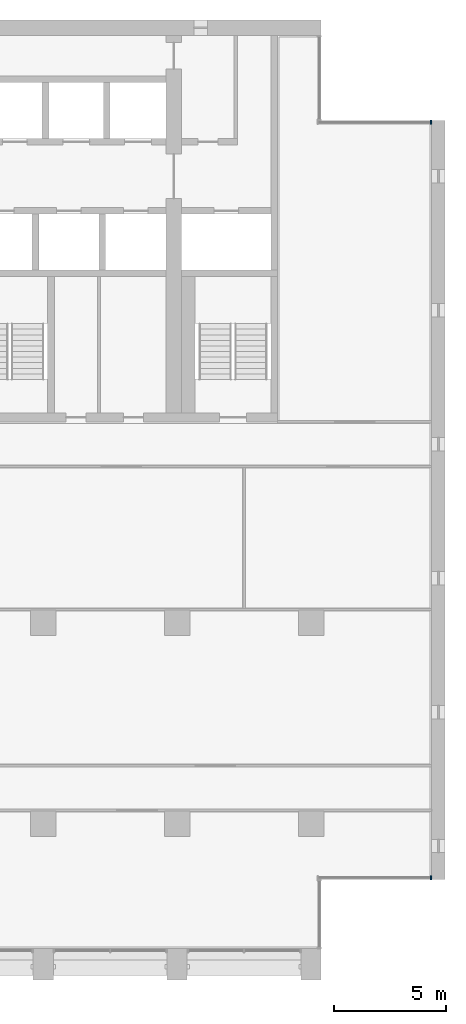
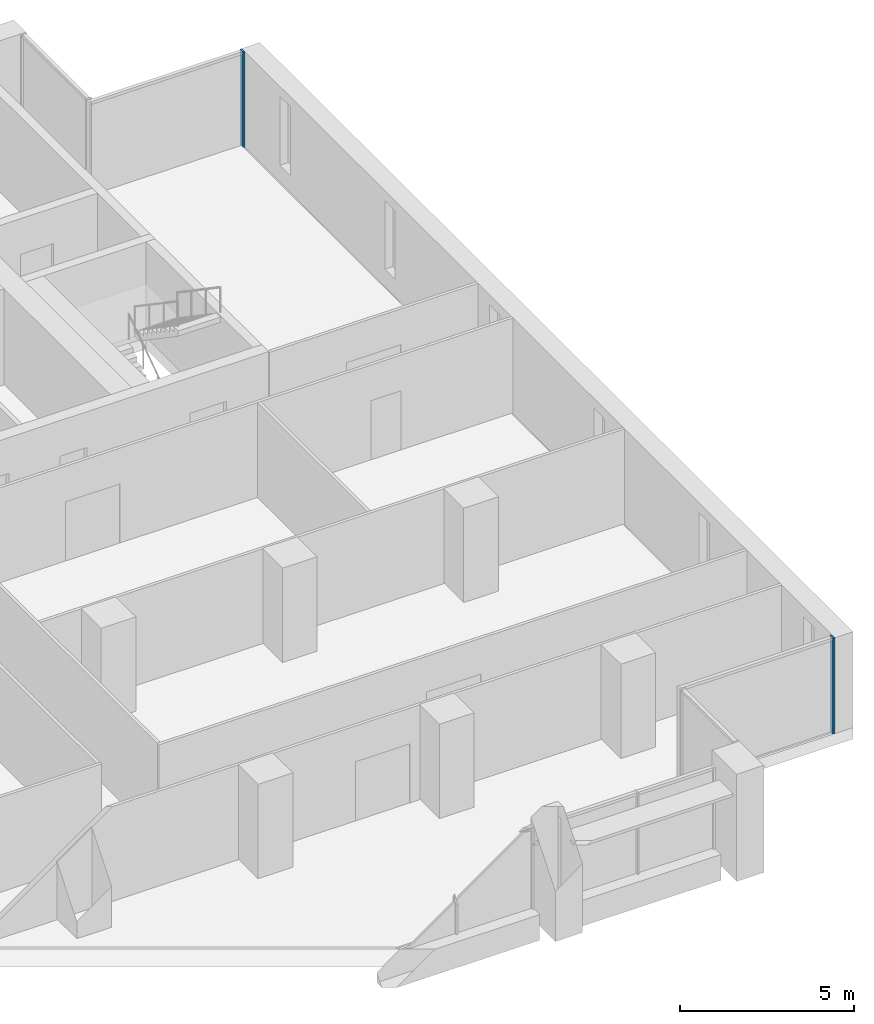
# One storey, part 6 of 17: 2 members, 2 elements without a shape of their own.
"""IFC4 building model written with IfcOpenShell, lengths in metres."""

from ifc_helpers import new_model, si_unit, direction, frame, origin, origin_2d, place, context, subcontext, project, spatial, rectangle, extrude, material, material_profile, profile_set, type_object, element, aggregate, save


model = new_model("IFC4")

# Units and contexts
model_context = context("Model", 3, precision=1e-05, world=origin(), true_north=direction((0.0, 1.0)))
body_context = subcontext(model_context, "Body", "Model", "MODEL_VIEW")
ifc_project = project(units=[si_unit("LENGTHUNIT", "METRE"), si_unit("AREAUNIT", "SQUARE_METRE"), si_unit("VOLUMEUNIT", "CUBIC_METRE"), si_unit("PLANEANGLEUNIT", "RADIAN"), si_unit("MASSUNIT", "GRAM", prefix="KILO")], contexts=[model_context])

# Site, building, storey
site_placement = place(None, origin())
site = spatial("IfcSite", under=ifc_project, at=site_placement, CompositionType="ELEMENT")
building_placement = place(site_placement, origin())
building = spatial("IfcBuilding", under=site, at=building_placement, Name="Calvaro Tower", CompositionType="ELEMENT")
storey_placement = place(building_placement, frame((0.0, 0.0, 185.5)))
storey = spatial("IfcBuildingStorey", under=building, at=storey_placement, Name="L46", CompositionType="ELEMENT", Elevation=185.5)

# Curtain wall, member
ifc_material_1 = material(Name="Anodised aluminium", Category="aluminium")
curtain_wall_type = type_object("IfcCurtainWallType", Name="Office curtain wall, upper zone", PredefinedType="NOTDEFINED", material=ifc_material_1)
curtain_wall_1_placement = place(storey_placement, origin())
curtain_wall_1 = element("IfcCurtainWall", 1, at=curtain_wall_1_placement, inside=storey, type_object=curtain_wall_type, Name="CW3 corner curtain wall", PredefinedType="NOTDEFINED")
ifc_material_2 = material(Name="Anodised aluminium", Category="aluminium")
ifc_material_profile = material_profile(ifc_material_2, rectangle(XDim=0.179931640625, YDim=0.06005859375, at=origin_2d()), Name="Mullion S3 60 x 180")
ifc_profile_set = profile_set([ifc_material_profile], Name="Anodised aluminium")
member_type = type_object("IfcMemberType", Name="Mullion S3 60 x 180", PredefinedType="MULLION", material=ifc_profile_set)
member_1_placement = place(storey_placement, frame((71.3701171875, 7.590087890625, 0.0), z_axis=(0.0, 0.0, 1.0), x_axis=(0.0, 1.0, 0.0)))
member_1 = element("IfcMember", 2, at=member_1_placement, type_object=member_type, Name="CW3 mullion 2", PredefinedType="MULLION", context=body_context, shape_type="SweptSolid", body=[
    extrude(rectangle(XDim=0.179931640625, YDim=0.06005859375, at=origin_2d()), origin(), (0.0, 0.0, 1.0), 3.35009765625),
])
aggregate(curtain_wall_1, [member_1])

curtain_wall_2_placement = place(storey_placement, origin())
curtain_wall_2 = element("IfcCurtainWall", 3, at=curtain_wall_2_placement, inside=storey, type_object=curtain_wall_type, Name="CW3 corner curtain wall", PredefinedType="NOTDEFINED")
member_2_placement = place(storey_placement, frame((71.3701171875, 41.409912109375, 0.0), z_axis=(0.0, 0.0, 1.0), x_axis=(0.0, 1.0, 0.0)))
member_2 = element("IfcMember", 4, at=member_2_placement, type_object=member_type, Name="CW3 mullion 2", PredefinedType="MULLION", context=body_context, shape_type="SweptSolid", body=[
    extrude(rectangle(XDim=0.179931640625, YDim=0.06005859375, at=origin_2d()), origin(), (0.0, 0.0, 1.0), 3.35009765625),
])
aggregate(curtain_wall_2, [member_2])

save(model, "model.ifc")
